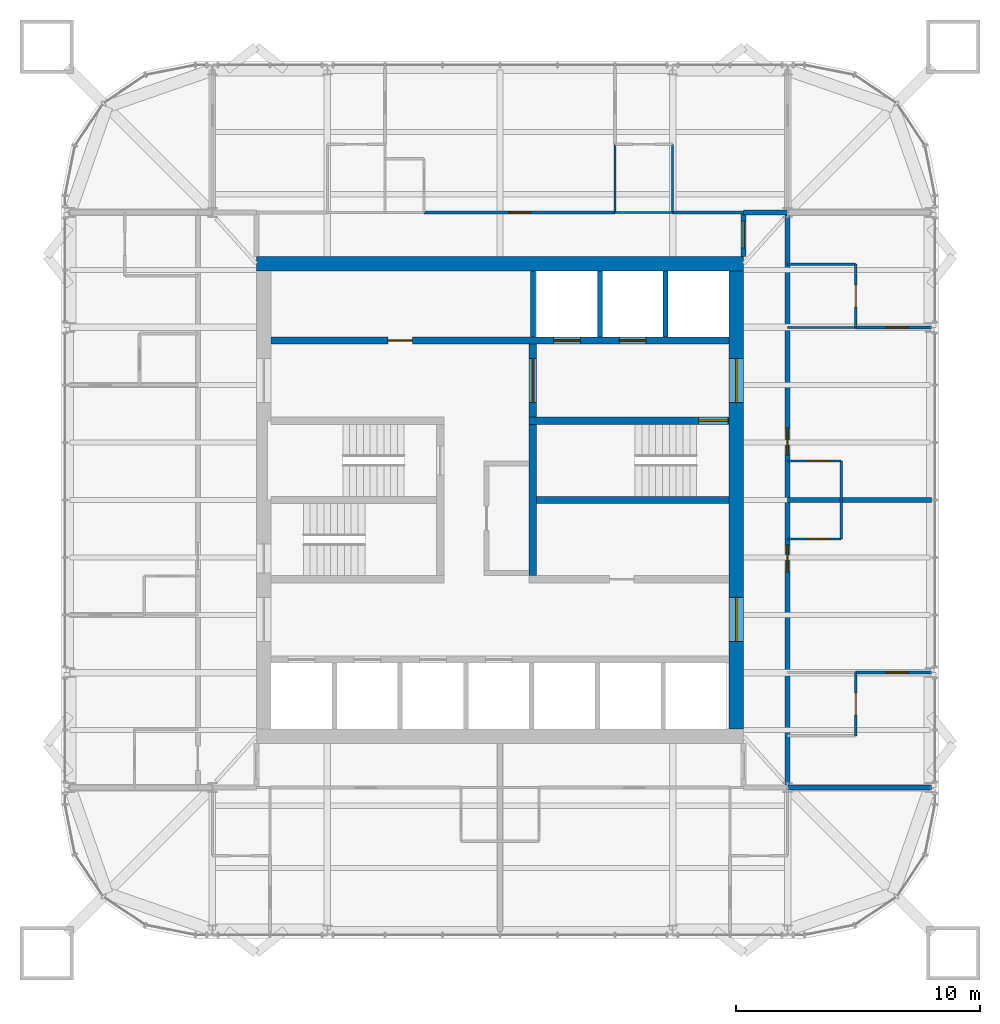
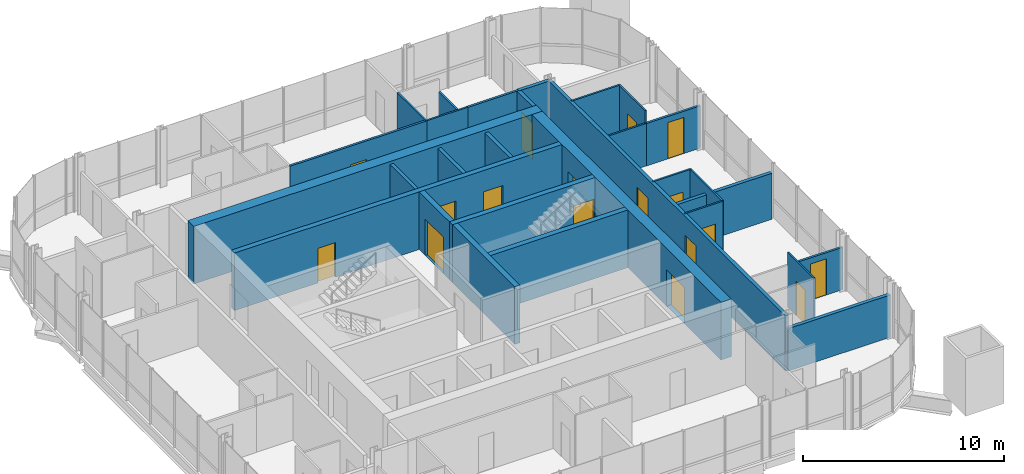
# One storey, part 15 of 17: 28 walls, 17 doors, 17 openings.
"""IFC4 building model written with IfcOpenShell, lengths in metres."""

from ifc_helpers import new_model, si_unit, direction, frame, frame_2d, origin, place, context, subcontext, project, spatial, rectangle, extrude, material, layer, layer_set, type_object, element, fill, save


model = new_model("IFC4")

# Units and contexts
model_context = context("Model", 3, precision=1e-05, world=origin(), true_north=direction((0.0, 1.0)))
body_context = subcontext(model_context, "Body", "Model", "MODEL_VIEW")
ifc_project = project(units=[si_unit("LENGTHUNIT", "METRE"), si_unit("AREAUNIT", "SQUARE_METRE"), si_unit("VOLUMEUNIT", "CUBIC_METRE"), si_unit("PLANEANGLEUNIT", "RADIAN"), si_unit("MASSUNIT", "GRAM", prefix="KILO")], contexts=[model_context])

# Site, building, storey
site_placement = place(None, origin())
site = spatial("IfcSite", under=ifc_project, at=site_placement, CompositionType="ELEMENT")
building_placement = place(site_placement, origin())
building = spatial("IfcBuilding", under=site, at=building_placement, Name="Turquesa Mirador Hotel Tower", CompositionType="ELEMENT")
storey_placement = place(building_placement, frame((0.0, 0.0, 237.199951171875)))
storey = spatial("IfcBuildingStorey", under=building, at=storey_placement, Name="L64", CompositionType="ELEMENT", Elevation=237.199951171875)

# Wall, opening, door
ifc_material_1 = material(Name="Gypsum board on steel studs", Category="steel")
ifc_layer_1 = layer(ifc_material_1, 0.10009765625)
ifc_layer_set_1 = layer_set([ifc_layer_1], Name="BATHROOM WALL 100")
wall_type_1 = type_object("IfcWallType", Name="BATHROOM WALL 100", PredefinedType="PARTITIONING", material=ifc_layer_set_1)
wall_1_placement = place(storey_placement, frame((66.800048828125, 43.39990234375, 0.0), z_axis=(0.0, 0.0, 1.0), x_axis=(1.0, 0.0, 0.0)))
wall_1 = element("IfcWall", 1, at=wall_1_placement, inside=storey, type_object=wall_type_1, Name="Partition L64 001", PredefinedType="PARTITIONING", context=body_context, shape_type="SweptSolid", body=[
    extrude(rectangle(XDim=2.199951171875, YDim=0.10009765625, at=frame_2d((1.10009765625, 0.0))), origin(), (0.0, 0.0, 1.0), 3.330078125),
])
opening_1_placement = place(wall_1_placement, frame((0.85009765625, 0.0, 0.0)))
opening_1 = element("IfcOpeningElement", 2, at=opening_1_placement, cuts=wall_1, Name="Opening D06", PredefinedType="OPENING", context=body_context, shape_type="SweptSolid", body=[
    extrude(rectangle(XDim=0.89990234375, YDim=2.10009765625, at=frame_2d((0.449951171875, 1.050048828125))), frame((0.0, 0.06005859375, 0.0), z_axis=(0.0, -1.0, 0.0), x_axis=(1.0, 0.0, 0.0)), (0.0, 0.0, 1.0), 0.1201171875),
])
ifc_material_2 = material(Name="Laminate door", Category="wood")
door_type_1 = type_object("IfcDoorType", Name="DOOR 900X2100 WC", OperationType="SINGLE_SWING_LEFT", PredefinedType="DOOR", material=ifc_material_2)
door_1_placement = place(opening_1_placement, origin())
door_1 = element("IfcDoor", 3, at=door_1_placement, inside=storey, type_object=door_type_1, Name="Door 6404W", OperationType="SINGLE_SWING_LEFT", OverallHeight=2.10009765625, OverallWidth=0.89990234375, PredefinedType="DOOR", context=body_context, shape_type="SweptSolid", body=[
    extrude(rectangle(XDim=0.89990234375, YDim=2.10009765625, at=frame_2d((0.449951171875, 1.050048828125))), frame((0.0, 0.02490234375, 0.0), z_axis=(0.0, -1.0, 0.0), x_axis=(1.0, 0.0, 0.0)), (0.0, 0.0, 1.0), 0.050048828125),
])
fill(opening_1, door_1)

wall_2_placement = place(storey_placement, frame((66.800048828125, 46.60009765625, 0.0), z_axis=(0.0, 0.0, 1.0), x_axis=(1.0, 0.0, 0.0)))
wall_2 = element("IfcWall", 4, at=wall_2_placement, inside=storey, type_object=wall_type_1, Name="Partition L64 022", PredefinedType="PARTITIONING", context=body_context, shape_type="SweptSolid", body=[
    extrude(rectangle(XDim=2.199951171875, YDim=0.10009765625, at=frame_2d((1.10009765625, 0.0))), origin(), (0.0, 0.0, 1.0), 3.330078125),
])
opening_2_placement = place(wall_2_placement, frame((0.85009765625, 0.0, 0.0)))
opening_2 = element("IfcOpeningElement", 5, at=opening_2_placement, cuts=wall_2, Name="Opening D06", PredefinedType="OPENING", context=body_context, shape_type="SweptSolid", body=[
    extrude(rectangle(XDim=0.89990234375, YDim=2.10009765625, at=frame_2d((0.449951171875, 1.050048828125))), frame((0.0, 0.06005859375, 0.0), z_axis=(0.0, -1.0, 0.0), x_axis=(1.0, 0.0, 0.0)), (0.0, 0.0, 1.0), 0.1201171875),
])
door_2_placement = place(opening_2_placement, origin())
door_2 = element("IfcDoor", 6, at=door_2_placement, inside=storey, type_object=door_type_1, Name="Door 6405W", OperationType="SINGLE_SWING_LEFT", OverallHeight=2.10009765625, OverallWidth=0.89990234375, PredefinedType="DOOR", context=body_context, shape_type="SweptSolid", body=[
    extrude(rectangle(XDim=0.89990234375, YDim=2.10009765625, at=frame_2d((0.449951171875, 1.050048828125))), frame((0.0, 0.02490234375, 0.0), z_axis=(0.0, -1.0, 0.0), x_axis=(1.0, 0.0, 0.0)), (0.0, 0.0, 1.0), 0.050048828125),
])
fill(opening_2, door_2)

# Walls
wall_3_placement = place(storey_placement, frame((59.719970703125, 56.800048828125, 0.0), z_axis=(0.0, 0.0, 1.0), x_axis=(1.0, 0.0, 0.0)))
element("IfcWall", 7, at=wall_3_placement, inside=storey, type_object=wall_type_1, Name="Partition L64 024", PredefinedType="PARTITIONING", context=body_context, shape_type="SweptSolid", body=[
    extrude(rectangle(XDim=2.360107421875, YDim=0.10009765625, at=frame_2d((1.18017578125, 0.0))), origin(), (0.0, 0.0, 1.0), 3.330078125),
])
wall_4_placement = place(storey_placement, frame((66.800048828125, 52.080078125, 0.0), z_axis=(0.0, 0.0, 1.0), x_axis=(1.0, 0.0, 0.0)))
element("IfcWall", 8, at=wall_4_placement, inside=storey, type_object=wall_type_1, Name="Partition L64 037", PredefinedType="PARTITIONING", context=body_context, shape_type="SweptSolid", body=[
    extrude(rectangle(XDim=2.800048828125, YDim=0.10009765625, at=frame_2d((1.39990234375, 0.0))), origin(), (0.0, 0.0, 1.0), 2.5732421875),
])
wall_5_placement = place(storey_placement, frame((66.800048828125, 54.679931640625, 0.0), z_axis=(0.0, 0.0, 1.0), x_axis=(1.0, 0.0, 0.0)))
element("IfcWall", 9, at=wall_5_placement, inside=storey, type_object=wall_type_1, Name="Partition L64 040", PredefinedType="PARTITIONING", context=body_context, shape_type="SweptSolid", body=[
    extrude(rectangle(XDim=2.800048828125, YDim=0.10009765625, at=frame_2d((1.39990234375, 0.0))), origin(), (0.0, 0.0, 1.0), 3.330078125),
])
wall_6_placement = place(storey_placement, frame((69.0, 43.39990234375, 0.0), z_axis=(0.0, 0.0, 1.0), x_axis=(0.0, 1.0, 0.0)))
element("IfcWall", 10, at=wall_6_placement, inside=storey, type_object=wall_type_1, Name="Partition L64 064", PredefinedType="PARTITIONING", context=body_context, shape_type="SweptSolid", body=[
    extrude(rectangle(XDim=3.2001953125, YDim=0.10009765625, at=frame_2d((1.60009765625, 0.0))), origin(), (0.0, 0.0, 1.0), 3.330078125),
])

# Wall, opening, door
wall_7_placement = place(storey_placement, frame((69.60009765625, 35.320068359375, 0.0), z_axis=(0.0, 0.0, 1.0), x_axis=(0.0, 1.0, 0.0)))
wall_7 = element("IfcWall", 11, at=wall_7_placement, inside=storey, type_object=wall_type_1, Name="Partition L64 065", PredefinedType="PARTITIONING", context=body_context, shape_type="SweptSolid", body=[
    extrude(rectangle(XDim=2.599853515625, YDim=0.10009765625, at=frame_2d((1.2998046875, 0.0))), origin(), (0.0, 0.0, 1.0), 3.330078125),
])
opening_3_placement = place(wall_7_placement, frame((0.85009765625, 0.0, 0.0)))
opening_3 = element("IfcOpeningElement", 12, at=opening_3_placement, cuts=wall_7, Name="Opening D02", PredefinedType="OPENING", context=body_context, shape_type="SweptSolid", body=[
    extrude(rectangle(XDim=0.89990234375, YDim=2.10009765625, at=frame_2d((0.449951171875, 1.050048828125))), frame((0.0, 0.06005859375, 0.0), z_axis=(0.0, -1.0, 0.0), x_axis=(1.0, 0.0, 0.0)), (0.0, 0.0, 1.0), 0.1201171875),
])
ifc_material_3 = material(Name="Timber veneered door", Category="wood")
door_type_2 = type_object("IfcDoorType", Name="DOOR 900X2100 EN-SUITE", OperationType="SINGLE_SWING_RIGHT", PredefinedType="DOOR", material=ifc_material_3)
door_3_placement = place(opening_3_placement, origin())
door_3 = element("IfcDoor", 13, at=door_3_placement, inside=storey, type_object=door_type_2, Name="Door 6404B", OperationType="SINGLE_SWING_RIGHT", OverallHeight=2.10009765625, OverallWidth=0.89990234375, PredefinedType="DOOR", context=body_context, shape_type="SweptSolid", body=[
    extrude(rectangle(XDim=0.89990234375, YDim=2.10009765625, at=frame_2d((0.449951171875, 1.050048828125))), frame((0.0, 0.02490234375, 0.0), z_axis=(0.0, -1.0, 0.0), x_axis=(1.0, 0.0, 0.0)), (0.0, 0.0, 1.0), 0.050048828125),
])
fill(opening_3, door_3)

wall_8_placement = place(storey_placement, frame((69.60009765625, 52.080078125, 0.0), z_axis=(0.0, 0.0, 1.0), x_axis=(0.0, 1.0, 0.0)))
wall_8 = element("IfcWall", 14, at=wall_8_placement, inside=storey, type_object=wall_type_1, Name="Partition L64 066", PredefinedType="PARTITIONING", context=body_context, shape_type="SweptSolid", body=[
    extrude(rectangle(XDim=2.599853515625, YDim=0.10009765625, at=frame_2d((1.2998046875, 0.0))), origin(), (0.0, 0.0, 1.0), 3.330078125),
])
opening_4_placement = place(wall_8_placement, frame((0.85009765625, 0.0, 0.0)))
opening_4 = element("IfcOpeningElement", 15, at=opening_4_placement, cuts=wall_8, Name="Opening D02", PredefinedType="OPENING", context=body_context, shape_type="SweptSolid", body=[
    extrude(rectangle(XDim=0.89990234375, YDim=2.10009765625, at=frame_2d((0.449951171875, 1.050048828125))), frame((0.0, 0.06005859375, 0.0), z_axis=(0.0, -1.0, 0.0), x_axis=(1.0, 0.0, 0.0)), (0.0, 0.0, 1.0), 0.1201171875),
])
door_4_placement = place(opening_4_placement, origin())
door_4 = element("IfcDoor", 16, at=door_4_placement, inside=storey, type_object=door_type_2, Name="Door 6405B", OperationType="SINGLE_SWING_RIGHT", OverallHeight=2.10009765625, OverallWidth=0.89990234375, PredefinedType="DOOR", context=body_context, shape_type="SweptSolid", body=[
    extrude(rectangle(XDim=0.89990234375, YDim=2.10009765625, at=frame_2d((0.449951171875, 1.050048828125))), frame((0.0, 0.02490234375, 0.0), z_axis=(0.0, -1.0, 0.0), x_axis=(1.0, 0.0, 0.0)), (0.0, 0.0, 1.0), 0.050048828125),
])
fill(opening_4, door_4)

# Walls
wall_9_placement = place(storey_placement, frame((59.719970703125, 56.800048828125, 0.0), z_axis=(0.0, 0.0, 1.0), x_axis=(0.0, 1.0, 0.0)))
element("IfcWall", 17, at=wall_9_placement, inside=storey, type_object=wall_type_1, Name="Partition L64 067", PredefinedType="PARTITIONING", context=body_context, shape_type="SweptSolid", body=[
    extrude(rectangle(XDim=2.800048828125, YDim=0.10009765625, at=frame_2d((1.39990234375, 0.0))), origin(), (0.0, 0.0, 1.0), 3.330078125),
])
wall_10_placement = place(storey_placement, frame((62.080078125, 56.800048828125, 0.0), z_axis=(0.0, 0.0, 1.0), x_axis=(0.0, 1.0, 0.0)))
element("IfcWall", 18, at=wall_10_placement, inside=storey, type_object=wall_type_1, Name="Partition L64 069", PredefinedType="PARTITIONING", context=body_context, shape_type="SweptSolid", body=[
    extrude(rectangle(XDim=2.800048828125, YDim=0.10009765625, at=frame_2d((1.39990234375, 0.0))), origin(), (0.0, 0.0, 1.0), 2.5732421875),
])

# Wall, openings, doors
ifc_material_4 = material(Name="Concrete C50/60", Category="concrete")
ifc_layer_2 = layer(ifc_material_4, 0.300048828125)
ifc_layer_set_2 = layer_set([ifc_layer_2], Name="CORE INNER WALL 300")
wall_type_2 = type_object("IfcWallType", Name="CORE INNER WALL 300", PredefinedType="SHEAR", material=ifc_layer_set_2)
wall_11_placement = place(storey_placement, frame((45.60009765625, 51.550048828125, 0.0), z_axis=(0.0, 0.0, 1.0), x_axis=(1.0, 0.0, 0.0)))
wall_11 = element("IfcWall", 19, at=wall_11_placement, inside=storey, type_object=wall_type_2, Name="Core wall NL", PredefinedType="SHEAR", context=body_context, shape_type="SweptSolid", body=[
    extrude(rectangle(XDim=18.7998046875, YDim=0.300048828125, at=frame_2d((9.39990234375, 0.0))), origin(), (0.0, 0.0, 1.0), 3.5),
])
opening_5_placement = place(wall_11_placement, frame((4.800048828125, 0.0, 0.0)))
opening_5 = element("IfcOpeningElement", 20, at=opening_5_placement, cuts=wall_11, Name="Opening D05", PredefinedType="OPENING", context=body_context, shape_type="SweptSolid", body=[
    extrude(rectangle(XDim=1.0, YDim=2.10009765625, at=frame_2d((0.5, 1.050048828125))), frame((0.0, 0.159912109375, 0.0), z_axis=(0.0, -1.0, 0.0), x_axis=(1.0, 0.0, 0.0)), (0.0, 0.0, 1.0), 0.320068359375),
])
opening_6_placement = place(wall_11_placement, frame((11.60009765625, 0.0, 0.0)))
opening_6 = element("IfcOpeningElement", 21, at=opening_6_placement, cuts=wall_11, Name="Opening LD", PredefinedType="OPENING", context=body_context, shape_type="SweptSolid", body=[
    extrude(rectangle(XDim=1.10009765625, YDim=2.199951171875, at=frame_2d((0.550048828125, 1.10009765625))), frame((0.0, 0.159912109375, 0.0), z_axis=(0.0, -1.0, 0.0), x_axis=(1.0, 0.0, 0.0)), (0.0, 0.0, 1.0), 0.320068359375),
])
opening_7_placement = place(wall_11_placement, frame((14.300048828125, 0.0, 0.0)))
opening_7 = element("IfcOpeningElement", 22, at=opening_7_placement, cuts=wall_11, Name="Opening LD", PredefinedType="OPENING", context=body_context, shape_type="SweptSolid", body=[
    extrude(rectangle(XDim=1.10009765625, YDim=2.199951171875, at=frame_2d((0.550048828125, 1.10009765625))), frame((0.0, 0.159912109375, 0.0), z_axis=(0.0, -1.0, 0.0), x_axis=(1.0, 0.0, 0.0)), (0.0, 0.0, 1.0), 0.320068359375),
])
ifc_material_5 = material(Name="Steel fire door", Category="steel")
door_type_3 = type_object("IfcDoorType", Name="DOOR 1000X2100 SERVICE", OperationType="SINGLE_SWING_LEFT", PredefinedType="DOOR", material=ifc_material_5)
door_5_placement = place(opening_5_placement, origin())
door_5 = element("IfcDoor", 23, at=door_5_placement, inside=storey, type_object=door_type_3, Name="Linen store door", OperationType="SINGLE_SWING_LEFT", OverallHeight=2.10009765625, OverallWidth=1.0, PredefinedType="DOOR", context=body_context, shape_type="SweptSolid", body=[
    extrude(rectangle(XDim=1.0, YDim=2.10009765625, at=frame_2d((0.5, 1.050048828125))), frame((0.0, 0.02490234375, 0.0), z_axis=(0.0, -1.0, 0.0), x_axis=(1.0, 0.0, 0.0)), (0.0, 0.0, 1.0), 0.050048828125),
])
fill(opening_5, door_5)
ifc_material_6 = material(Name="Stainless steel lift landing door", Category="steel")
door_type_4 = type_object("IfcDoorType", Name="LIFT LANDING DOOR 1100X2200", OperationType="SLIDING_TO_LEFT", PredefinedType="DOOR", material=ifc_material_6)
door_6_placement = place(opening_6_placement, origin())
door_6 = element("IfcDoor", 24, at=door_6_placement, inside=storey, type_object=door_type_4, Name="Lift S1 landing door", OperationType="SLIDING_TO_LEFT", OverallHeight=2.199951171875, OverallWidth=1.10009765625, PredefinedType="DOOR", context=body_context, shape_type="SweptSolid", body=[
    extrude(rectangle(XDim=1.10009765625, YDim=2.199951171875, at=frame_2d((0.550048828125, 1.10009765625))), frame((0.0, 0.02490234375, 0.0), z_axis=(0.0, -1.0, 0.0), x_axis=(1.0, 0.0, 0.0)), (0.0, 0.0, 1.0), 0.050048828125),
])
fill(opening_6, door_6)
door_7_placement = place(opening_7_placement, origin())
door_7 = element("IfcDoor", 25, at=door_7_placement, inside=storey, type_object=door_type_4, Name="Lift S2 landing door", OperationType="SLIDING_TO_LEFT", OverallHeight=2.199951171875, OverallWidth=1.10009765625, PredefinedType="DOOR", context=body_context, shape_type="SweptSolid", body=[
    extrude(rectangle(XDim=1.10009765625, YDim=2.199951171875, at=frame_2d((0.550048828125, 1.10009765625))), frame((0.0, 0.02490234375, 0.0), z_axis=(0.0, -1.0, 0.0), x_axis=(1.0, 0.0, 0.0)), (0.0, 0.0, 1.0), 0.050048828125),
])
fill(opening_7, door_7)

# Wall, opening, door
wall_12_placement = place(storey_placement, frame((56.199951171875, 48.25, 0.0), z_axis=(0.0, 0.0, 1.0), x_axis=(1.0, 0.0, 0.0)))
wall_12 = element("IfcWall", 26, at=wall_12_placement, inside=storey, type_object=wall_type_2, Name="Core wall MN-E", PredefinedType="SHEAR", context=body_context, shape_type="SweptSolid", body=[
    extrude(rectangle(XDim=8.199951171875, YDim=0.300048828125, at=frame_2d((4.10009765625, 0.0))), origin(), (0.0, 0.0, 1.0), 3.5),
])
opening_8_placement = place(wall_12_placement, frame((6.949951171875, 0.0, 0.0)))
opening_8 = element("IfcOpeningElement", 27, at=opening_8_placement, cuts=wall_12, Name="Opening D03", PredefinedType="OPENING", context=body_context, shape_type="SweptSolid", body=[
    extrude(rectangle(XDim=1.199951171875, YDim=2.199951171875, at=frame_2d((0.60009765625, 1.10009765625))), frame((0.0, 0.159912109375, 0.0), z_axis=(0.0, -1.0, 0.0), x_axis=(1.0, 0.0, 0.0)), (0.0, 0.0, 1.0), 0.320068359375),
])
ifc_material_7 = material(Name="Steel fire door", Category="steel")
door_type_5 = type_object("IfcDoorType", Name="DOOR 1200X2200 STAIR", OperationType="SINGLE_SWING_LEFT", PredefinedType="DOOR", material=ifc_material_7)
door_8_placement = place(opening_8_placement, origin())
door_8 = element("IfcDoor", 28, at=door_8_placement, inside=storey, type_object=door_type_5, Name="Stair ST3 door", OperationType="SINGLE_SWING_LEFT", OverallHeight=2.199951171875, OverallWidth=1.199951171875, PredefinedType="DOOR", context=body_context, shape_type="SweptSolid", body=[
    extrude(rectangle(XDim=1.199951171875, YDim=2.199951171875, at=frame_2d((0.60009765625, 1.10009765625))), frame((0.0, 0.02490234375, 0.0), z_axis=(0.0, -1.0, 0.0), x_axis=(1.0, 0.0, 0.0)), (0.0, 0.0, 1.0), 0.050048828125),
])
fill(opening_8, door_8)

wall_13_placement = place(storey_placement, frame((56.35009765625, 41.89990234375, 0.0), z_axis=(0.0, 0.0, 1.0), x_axis=(0.0, 1.0, 0.0)))
wall_13 = element("IfcWall", 29, at=wall_13_placement, inside=storey, type_object=wall_type_2, Name="Core wall PE", PredefinedType="SHEAR", context=body_context, shape_type="SweptSolid", body=[
    extrude(rectangle(XDim=9.5, YDim=0.300048828125, at=frame_2d((4.75, 0.0))), origin(), (0.0, 0.0, 1.0), 3.5),
])
opening_9_placement = place(wall_13_placement, frame((7.10009765625, 0.0, 0.0)))
opening_9 = element("IfcOpeningElement", 30, at=opening_9_placement, cuts=wall_13, Name="Opening D04", PredefinedType="OPENING", context=body_context, shape_type="SweptSolid", body=[
    extrude(rectangle(XDim=1.800048828125, YDim=2.199951171875, at=frame_2d((0.89990234375, 1.10009765625))), frame((0.0, 0.159912109375, 0.0), z_axis=(0.0, -1.0, 0.0), x_axis=(1.0, 0.0, 0.0)), (0.0, 0.0, 1.0), 0.320068359375),
])
ifc_material_8 = material(Name="Steel fire door pair", Category="steel")
door_type_6 = type_object("IfcDoorType", Name="DOOR 1800X2200 PAIR", OperationType="DOUBLE_DOOR_SINGLE_SWING", PredefinedType="DOOR", material=ifc_material_8)
door_9_placement = place(opening_9_placement, origin())
door_9 = element("IfcDoor", 31, at=door_9_placement, inside=storey, type_object=door_type_6, Name="Firefighting lobby inner door", OperationType="DOUBLE_DOOR_SINGLE_SWING", OverallHeight=2.199951171875, OverallWidth=1.800048828125, PredefinedType="DOOR", context=body_context, shape_type="SweptSolid", body=[
    extrude(rectangle(XDim=1.800048828125, YDim=2.199951171875, at=frame_2d((0.89990234375, 1.10009765625))), frame((0.0, 0.02490234375, 0.0), z_axis=(0.0, -1.0, 0.0), x_axis=(1.0, 0.0, 0.0)), (0.0, 0.0, 1.0), 0.050048828125),
])
fill(opening_9, door_9)

# Walls
wall_14_placement = place(storey_placement, frame((56.5, 45.0, 0.0), z_axis=(0.0, 0.0, 1.0), x_axis=(1.0, 0.0, 0.0)))
element("IfcWall", 32, at=wall_14_placement, inside=storey, type_object=wall_type_2, Name="Core wall M0-E", PredefinedType="SHEAR", context=body_context, shape_type="SweptSolid", body=[
    extrude(rectangle(XDim=7.89990234375, YDim=0.300048828125, at=frame_2d((3.949951171875, 0.0))), origin(), (0.0, 0.0, 1.0), 3.5),
])
ifc_material_9 = material(Name="Concrete C50/60", Category="concrete")
ifc_layer_3 = layer(ifc_material_9, 0.60009765625)
ifc_layer_set_3 = layer_set([ifc_layer_3], Name="CORE WALL 600")
wall_type_3 = type_object("IfcWallType", Name="CORE WALL 600", PredefinedType="SHEAR", material=ifc_layer_set_3)
wall_15_placement = place(storey_placement, frame((45.0, 54.699951171875, 0.0), z_axis=(0.0, 0.0, 1.0), x_axis=(1.0, 0.0, 0.0)))
element("IfcWall", 33, at=wall_15_placement, inside=storey, type_object=wall_type_3, Name="Core wall N", PredefinedType="SHEAR", context=body_context, shape_type="SweptSolid", body=[
    extrude(rectangle(XDim=20.0, YDim=0.60009765625, at=frame_2d((10.0, 0.0))), origin(), (0.0, 0.0, 1.0), 3.5),
])

# Wall, openings, doors
wall_16_placement = place(storey_placement, frame((64.699951171875, 35.60009765625, 0.0), z_axis=(0.0, 0.0, 1.0), x_axis=(0.0, 1.0, 0.0)))
wall_16 = element("IfcWall", 34, at=wall_16_placement, inside=storey, type_object=wall_type_3, Name="Core wall E", PredefinedType="SHEAR", context=body_context, shape_type="SweptSolid", body=[
    extrude(rectangle(XDim=18.7998046875, YDim=0.60009765625, at=frame_2d((9.39990234375, 0.0))), origin(), (0.0, 0.0, 1.0), 3.5),
])
opening_10_placement = place(wall_16_placement, frame((13.39990234375, 0.0, 0.0)))
opening_10 = element("IfcOpeningElement", 35, at=opening_10_placement, cuts=wall_16, Name="Opening D04", PredefinedType="OPENING", context=body_context, shape_type="SweptSolid", body=[
    extrude(rectangle(XDim=1.800048828125, YDim=2.199951171875, at=frame_2d((0.89990234375, 1.10009765625))), frame((0.0, 0.31005859375, 0.0), z_axis=(0.0, -1.0, 0.0), x_axis=(1.0, 0.0, 0.0)), (0.0, 0.0, 1.0), 0.6201171875),
])
opening_11_placement = place(wall_16_placement, frame((3.60009765625, 0.0, 0.0)))
opening_11 = element("IfcOpeningElement", 36, at=opening_11_placement, cuts=wall_16, Name="Opening D04", PredefinedType="OPENING", context=body_context, shape_type="SweptSolid", body=[
    extrude(rectangle(XDim=1.800048828125, YDim=2.199951171875, at=frame_2d((0.89990234375, 1.10009765625))), frame((0.0, 0.31005859375, 0.0), z_axis=(0.0, -1.0, 0.0), x_axis=(1.0, 0.0, 0.0)), (0.0, 0.0, 1.0), 0.6201171875),
])
door_10_placement = place(opening_10_placement, origin())
door_10 = element("IfcDoor", 37, at=door_10_placement, inside=storey, type_object=door_type_6, Name="Firefighting lobby door", OperationType="DOUBLE_DOOR_SINGLE_SWING", OverallHeight=2.199951171875, OverallWidth=1.800048828125, PredefinedType="DOOR", context=body_context, shape_type="SweptSolid", body=[
    extrude(rectangle(XDim=1.800048828125, YDim=2.199951171875, at=frame_2d((0.89990234375, 1.10009765625))), frame((0.0, 0.02490234375, 0.0), z_axis=(0.0, -1.0, 0.0), x_axis=(1.0, 0.0, 0.0)), (0.0, 0.0, 1.0), 0.050048828125),
])
fill(opening_10, door_10)
door_11_placement = place(opening_11_placement, origin())
door_11 = element("IfcDoor", 38, at=door_11_placement, inside=storey, type_object=door_type_6, Name="South lift lobby door", OperationType="DOUBLE_DOOR_SINGLE_SWING", OverallHeight=2.199951171875, OverallWidth=1.800048828125, PredefinedType="DOOR", context=body_context, shape_type="SweptSolid", body=[
    extrude(rectangle(XDim=1.800048828125, YDim=2.199951171875, at=frame_2d((0.89990234375, 1.10009765625))), frame((0.0, 0.02490234375, 0.0), z_axis=(0.0, -1.0, 0.0), x_axis=(1.0, 0.0, 0.0)), (0.0, 0.0, 1.0), 0.050048828125),
])
fill(opening_11, door_11)

# Wall
ifc_material_10 = material(Name="Fire-rated gypsum board on steel studs", Category="steel")
ifc_layer_4 = layer(ifc_material_10, 0.199951171875)
ifc_layer_set_4 = layer_set([ifc_layer_4], Name="CORRIDOR WALL 200")
wall_type_4 = type_object("IfcWallType", Name="CORRIDOR WALL 200", PredefinedType="PARTITIONING", material=ifc_layer_set_4)
wall_17_placement = place(storey_placement, frame((65.0, 56.800048828125, 0.0), z_axis=(0.0, 0.0, 1.0), x_axis=(1.0, 0.0, 0.0)))
element("IfcWall", 39, at=wall_17_placement, inside=storey, type_object=wall_type_4, Name="Partition L64 026", PredefinedType="PARTITIONING", context=body_context, shape_type="SweptSolid", body=[
    extrude(rectangle(XDim=1.800048828125, YDim=0.199951171875, at=frame_2d((0.89990234375, 0.0))), origin(), (0.0, 0.0, 1.0), 3.330078125),
])

# Wall, opening, door
wall_18_placement = place(storey_placement, frame((65.0, 55.0, 0.0), z_axis=(0.0, 0.0, 1.0), x_axis=(0.0, 1.0, 0.0)))
wall_18 = element("IfcWall", 40, at=wall_18_placement, inside=storey, type_object=wall_type_4, Name="Partition L64 060", PredefinedType="PARTITIONING", context=body_context, shape_type="SweptSolid", body=[
    extrude(rectangle(XDim=1.800048828125, YDim=0.199951171875, at=frame_2d((0.89990234375, 0.0))), origin(), (0.0, 0.0, 1.0), 3.330078125),
])
opening_12_placement = place(wall_18_placement, frame((0.35009765625, 0.0, 0.0)))
opening_12 = element("IfcOpeningElement", 41, at=opening_12_placement, cuts=wall_18, Name="Opening D15", PredefinedType="OPENING", context=body_context, shape_type="SweptSolid", body=[
    extrude(rectangle(XDim=1.10009765625, YDim=2.199951171875, at=frame_2d((0.550048828125, 1.10009765625))), frame((0.0, 0.10986328125, 0.0), z_axis=(0.0, -1.0, 0.0), x_axis=(1.0, 0.0, 0.0)), (0.0, 0.0, 1.0), 0.219970703125),
])
ifc_material_11 = material(Name="Timber veneered fire door", Category="wood")
door_type_7 = type_object("IfcDoorType", Name="DOOR 1100X2200 SUITE ENTRY", OperationType="SINGLE_SWING_LEFT", PredefinedType="DOOR", material=ifc_material_11)
door_12_placement = place(opening_12_placement, origin())
door_12 = element("IfcDoor", 42, at=door_12_placement, inside=storey, type_object=door_type_7, Name="Door 6401G", OperationType="SINGLE_SWING_LEFT", OverallHeight=2.199951171875, OverallWidth=1.10009765625, PredefinedType="DOOR", context=body_context, shape_type="SweptSolid", body=[
    extrude(rectangle(XDim=1.10009765625, YDim=2.199951171875, at=frame_2d((0.550048828125, 1.10009765625))), frame((0.0, 0.02490234375, 0.0), z_axis=(0.0, -1.0, 0.0), x_axis=(1.0, 0.0, 0.0)), (0.0, 0.0, 1.0), 0.050048828125),
])
fill(opening_12, door_12)

# Wall, openings, doors
wall_19_placement = place(storey_placement, frame((66.800048828125, 33.199951171875, 0.0), z_axis=(0.0, 0.0, 1.0), x_axis=(0.0, 1.0, 0.0)))
wall_19 = element("IfcWall", 43, at=wall_19_placement, inside=storey, type_object=wall_type_4, Name="Partition L64 062", PredefinedType="PARTITIONING", context=body_context, shape_type="SweptSolid", body=[
    extrude(rectangle(XDim=23.60009765625, YDim=0.199951171875, at=frame_2d((11.800048828125, 0.0))), origin(), (0.0, 0.0, 1.0), 3.330078125),
])
opening_13_placement = place(wall_19_placement, frame((8.85009765625, 0.0, 0.0)))
opening_13 = element("IfcOpeningElement", 44, at=opening_13_placement, cuts=wall_19, Name="Opening D15", PredefinedType="OPENING", context=body_context, shape_type="SweptSolid", body=[
    extrude(rectangle(XDim=1.10009765625, YDim=2.199951171875, at=frame_2d((0.550048828125, 1.10009765625))), frame((0.0, 0.10986328125, 0.0), z_axis=(0.0, -1.0, 0.0), x_axis=(1.0, 0.0, 0.0)), (0.0, 0.0, 1.0), 0.219970703125),
])
opening_14_placement = place(wall_19_placement, frame((13.64990234375, 0.0, 0.0)))
opening_14 = element("IfcOpeningElement", 45, at=opening_14_placement, cuts=wall_19, Name="Opening D15", PredefinedType="OPENING", context=body_context, shape_type="SweptSolid", body=[
    extrude(rectangle(XDim=1.10009765625, YDim=2.199951171875, at=frame_2d((0.550048828125, 1.10009765625))), frame((0.0, 0.10986328125, 0.0), z_axis=(0.0, -1.0, 0.0), x_axis=(1.0, 0.0, 0.0)), (0.0, 0.0, 1.0), 0.219970703125),
])
door_13_placement = place(opening_13_placement, origin())
door_13 = element("IfcDoor", 46, at=door_13_placement, inside=storey, type_object=door_type_7, Name="Door 6404", OperationType="SINGLE_SWING_LEFT", OverallHeight=2.199951171875, OverallWidth=1.10009765625, PredefinedType="DOOR", context=body_context, shape_type="SweptSolid", body=[
    extrude(rectangle(XDim=1.10009765625, YDim=2.199951171875, at=frame_2d((0.550048828125, 1.10009765625))), frame((0.0, 0.02490234375, 0.0), z_axis=(0.0, -1.0, 0.0), x_axis=(1.0, 0.0, 0.0)), (0.0, 0.0, 1.0), 0.050048828125),
])
fill(opening_13, door_13)
door_14_placement = place(opening_14_placement, origin())
door_14 = element("IfcDoor", 47, at=door_14_placement, inside=storey, type_object=door_type_7, Name="Door 6405", OperationType="SINGLE_SWING_LEFT", OverallHeight=2.199951171875, OverallWidth=1.10009765625, PredefinedType="DOOR", context=body_context, shape_type="SweptSolid", body=[
    extrude(rectangle(XDim=1.10009765625, YDim=2.199951171875, at=frame_2d((0.550048828125, 1.10009765625))), frame((0.0, 0.02490234375, 0.0), z_axis=(0.0, -1.0, 0.0), x_axis=(1.0, 0.0, 0.0)), (0.0, 0.0, 1.0), 0.050048828125),
])
fill(opening_14, door_14)

# Walls
ifc_material_12 = material(Name="Fire-rated gypsum shaft wall on steel studs", Category="steel")
ifc_layer_5 = layer(ifc_material_12, 0.199951171875)
ifc_layer_set_5 = layer_set([ifc_layer_5], Name="LIFT SHAFT DIVIDER 200")
wall_type_5 = type_object("IfcWallType", Name="LIFT SHAFT DIVIDER 200", PredefinedType="PARTITIONING", material=ifc_layer_set_5)
for number, where, z_axis, x_axis, name in (
    (48, (59.10009765625, 51.699951171875, 0.0), (0.0, 0.0, 1.0), (0.0, 1.0, 0.0), "Lift shaft divider"),
    (49, (61.800048828125, 51.699951171875, 0.0), (0.0, 0.0, 1.0), (0.0, 1.0, 0.0), "Lift shaft divider"),
    (50, (56.35009765625, 51.699951171875, 0.0), (0.0, 0.0, 1.0), (0.0, 1.0, 0.0), "Lift shaft divider"),
):
    element("IfcWall", number, at=place(storey_placement, frame(where, z_axis=z_axis, x_axis=x_axis)), inside=storey, type_object=wall_type_5, Name=name, PredefinedType="PARTITIONING", context=body_context, shape_type="SweptSolid", body=[
        extrude(rectangle(XDim=2.699951171875, YDim=0.199951171875, at=frame_2d((1.35009765625, 0.0))), origin(), (0.0, 0.0, 1.0), 3.330078125),
    ])
ifc_material_13 = material(Name="Fire-rated gypsum board on steel studs", Category="steel")
ifc_layer_6 = layer(ifc_material_13, 0.199951171875)
ifc_layer_set_6 = layer_set([ifc_layer_6], Name="PARTY WALL 200")
wall_type_6 = type_object("IfcWallType", Name="PARTY WALL 200", PredefinedType="PARTITIONING", material=ifc_layer_set_6)
wall_20_placement = place(storey_placement, frame((66.800048828125, 33.199951171875, 0.0), z_axis=(0.0, 0.0, 1.0), x_axis=(1.0, 0.0, 0.0)))
element("IfcWall", 51, at=wall_20_placement, inside=storey, type_object=wall_type_6, Name="Partition L64 008", PredefinedType="PARTITIONING", context=body_context, shape_type="SweptSolid", body=[
    extrude(rectangle(XDim=5.89990234375, YDim=0.199951171875, at=frame_2d((2.949951171875, 0.0))), origin(), (0.0, 0.0, 1.0), 2.5732421875),
])
wall_21_placement = place(storey_placement, frame((66.800048828125, 45.0, 0.0), z_axis=(0.0, 0.0, 1.0), x_axis=(1.0, 0.0, 0.0)))
element("IfcWall", 52, at=wall_21_placement, inside=storey, type_object=wall_type_6, Name="Partition L64 021", PredefinedType="PARTITIONING", context=body_context, shape_type="SweptSolid", body=[
    extrude(rectangle(XDim=5.89990234375, YDim=0.199951171875, at=frame_2d((2.949951171875, 0.0))), origin(), (0.0, 0.0, 1.0), 2.796630859375),
])

# Wall, opening, door
ifc_material_14 = material(Name="Acoustic gypsum board on steel studs", Category="steel")
ifc_layer_7 = layer(ifc_material_14, 0.125)
ifc_layer_set_7 = layer_set([ifc_layer_7], Name="SUITE PARTITION 125")
wall_type_7 = type_object("IfcWallType", Name="SUITE PARTITION 125", PredefinedType="PARTITIONING", material=ifc_layer_set_7)
wall_22_placement = place(storey_placement, frame((69.60009765625, 37.919921875, 0.0), z_axis=(0.0, 0.0, 1.0), x_axis=(1.0, 0.0, 0.0)))
wall_22 = element("IfcWall", 53, at=wall_22_placement, inside=storey, type_object=wall_type_7, Name="Partition L64 018", PredefinedType="PARTITIONING", context=body_context, shape_type="SweptSolid", body=[
    extrude(rectangle(XDim=3.099853515625, YDim=0.125, at=frame_2d((1.5498046875, 0.0))), origin(), (0.0, 0.0, 1.0), 2.5732421875),
])
opening_15_placement = place(wall_22_placement, frame((1.25, 0.0, 0.0)))
opening_15 = element("IfcOpeningElement", 54, at=opening_15_placement, cuts=wall_22, Name="Opening D17", PredefinedType="OPENING", context=body_context, shape_type="SweptSolid", body=[
    extrude(rectangle(XDim=0.89990234375, YDim=2.199951171875, at=frame_2d((0.449951171875, 1.10009765625))), frame((0.0, 0.072509765625, 0.0), z_axis=(0.0, -1.0, 0.0), x_axis=(1.0, 0.0, 0.0)), (0.0, 0.0, 1.0), 0.14501953125),
])
ifc_material_15 = material(Name="Timber veneered door", Category="wood")
door_type_8 = type_object("IfcDoorType", Name="DOOR 900X2200 SUITE INTERNAL", OperationType="SINGLE_SWING_LEFT", PredefinedType="DOOR", material=ifc_material_15)
door_15_placement = place(opening_15_placement, origin())
door_15 = element("IfcDoor", 55, at=door_15_placement, inside=storey, type_object=door_type_8, Name="Door 6404R", OperationType="SINGLE_SWING_LEFT", OverallHeight=2.199951171875, OverallWidth=0.89990234375, PredefinedType="DOOR", context=body_context, shape_type="SweptSolid", body=[
    extrude(rectangle(XDim=0.89990234375, YDim=2.199951171875, at=frame_2d((0.449951171875, 1.10009765625))), frame((0.0, 0.02490234375, 0.0), z_axis=(0.0, -1.0, 0.0), x_axis=(1.0, 0.0, 0.0)), (0.0, 0.0, 1.0), 0.050048828125),
])
fill(opening_15, door_15)

wall_23_placement = place(storey_placement, frame((51.8798828125, 56.800048828125, 0.0), z_axis=(0.0, 0.0, 1.0), x_axis=(1.0, 0.0, 0.0)))
wall_23 = element("IfcWall", 56, at=wall_23_placement, inside=storey, type_object=wall_type_7, Name="Partition L64 030", PredefinedType="PARTITIONING", context=body_context, shape_type="SweptSolid", body=[
    extrude(rectangle(XDim=7.840087890625, YDim=0.125, at=frame_2d((3.919921875, 0.0))), origin(), (0.0, 0.0, 1.0), 3.330078125),
])
opening_16_placement = place(wall_23_placement, frame((3.469970703125, 0.0, 0.0)))
opening_16 = element("IfcOpeningElement", 57, at=opening_16_placement, cuts=wall_23, Name="Opening D17", PredefinedType="OPENING", context=body_context, shape_type="SweptSolid", body=[
    extrude(rectangle(XDim=0.89990234375, YDim=2.199951171875, at=frame_2d((0.449951171875, 1.10009765625))), frame((0.0, 0.072509765625, 0.0), z_axis=(0.0, -1.0, 0.0), x_axis=(1.0, 0.0, 0.0)), (0.0, 0.0, 1.0), 0.14501953125),
])
door_16_placement = place(opening_16_placement, origin())
door_16 = element("IfcDoor", 58, at=door_16_placement, inside=storey, type_object=door_type_8, Name="Door 6401", OperationType="SINGLE_SWING_LEFT", OverallHeight=2.199951171875, OverallWidth=0.89990234375, PredefinedType="DOOR", context=body_context, shape_type="SweptSolid", body=[
    extrude(rectangle(XDim=0.89990234375, YDim=2.199951171875, at=frame_2d((0.449951171875, 1.10009765625))), frame((0.0, 0.02490234375, 0.0), z_axis=(0.0, -1.0, 0.0), x_axis=(1.0, 0.0, 0.0)), (0.0, 0.0, 1.0), 0.050048828125),
])
fill(opening_16, door_16)

# Wall
wall_24_placement = place(storey_placement, frame((62.080078125, 56.800048828125, 0.0), z_axis=(0.0, 0.0, 1.0), x_axis=(1.0, 0.0, 0.0)))
element("IfcWall", 59, at=wall_24_placement, inside=storey, type_object=wall_type_7, Name="Partition L64 031", PredefinedType="PARTITIONING", context=body_context, shape_type="SweptSolid", body=[
    extrude(rectangle(XDim=2.919921875, YDim=0.125, at=frame_2d((1.4599609375, 0.0))), origin(), (0.0, 0.0, 1.0), 3.330078125),
])

# Wall, opening, door
wall_25_placement = place(storey_placement, frame((69.60009765625, 52.080078125, 0.0), z_axis=(0.0, 0.0, 1.0), x_axis=(1.0, 0.0, 0.0)))
wall_25 = element("IfcWall", 60, at=wall_25_placement, inside=storey, type_object=wall_type_7, Name="Partition L64 038", PredefinedType="PARTITIONING", context=body_context, shape_type="SweptSolid", body=[
    extrude(rectangle(XDim=3.099853515625, YDim=0.125, at=frame_2d((1.5498046875, 0.0))), origin(), (0.0, 0.0, 1.0), 2.5732421875),
])
opening_17_placement = place(wall_25_placement, frame((1.25, 0.0, 0.0)))
opening_17 = element("IfcOpeningElement", 61, at=opening_17_placement, cuts=wall_25, Name="Opening D17", PredefinedType="OPENING", context=body_context, shape_type="SweptSolid", body=[
    extrude(rectangle(XDim=0.89990234375, YDim=2.199951171875, at=frame_2d((0.449951171875, 1.10009765625))), frame((0.0, 0.072509765625, 0.0), z_axis=(0.0, -1.0, 0.0), x_axis=(1.0, 0.0, 0.0)), (0.0, 0.0, 1.0), 0.14501953125),
])
door_17_placement = place(opening_17_placement, origin())
door_17 = element("IfcDoor", 62, at=door_17_placement, inside=storey, type_object=door_type_8, Name="Door 6405R", OperationType="SINGLE_SWING_LEFT", OverallHeight=2.199951171875, OverallWidth=0.89990234375, PredefinedType="DOOR", context=body_context, shape_type="SweptSolid", body=[
    extrude(rectangle(XDim=0.89990234375, YDim=2.199951171875, at=frame_2d((0.449951171875, 1.10009765625))), frame((0.0, 0.02490234375, 0.0), z_axis=(0.0, -1.0, 0.0), x_axis=(1.0, 0.0, 0.0)), (0.0, 0.0, 1.0), 0.050048828125),
])
fill(opening_17, door_17)

save(model, "model.ifc")
